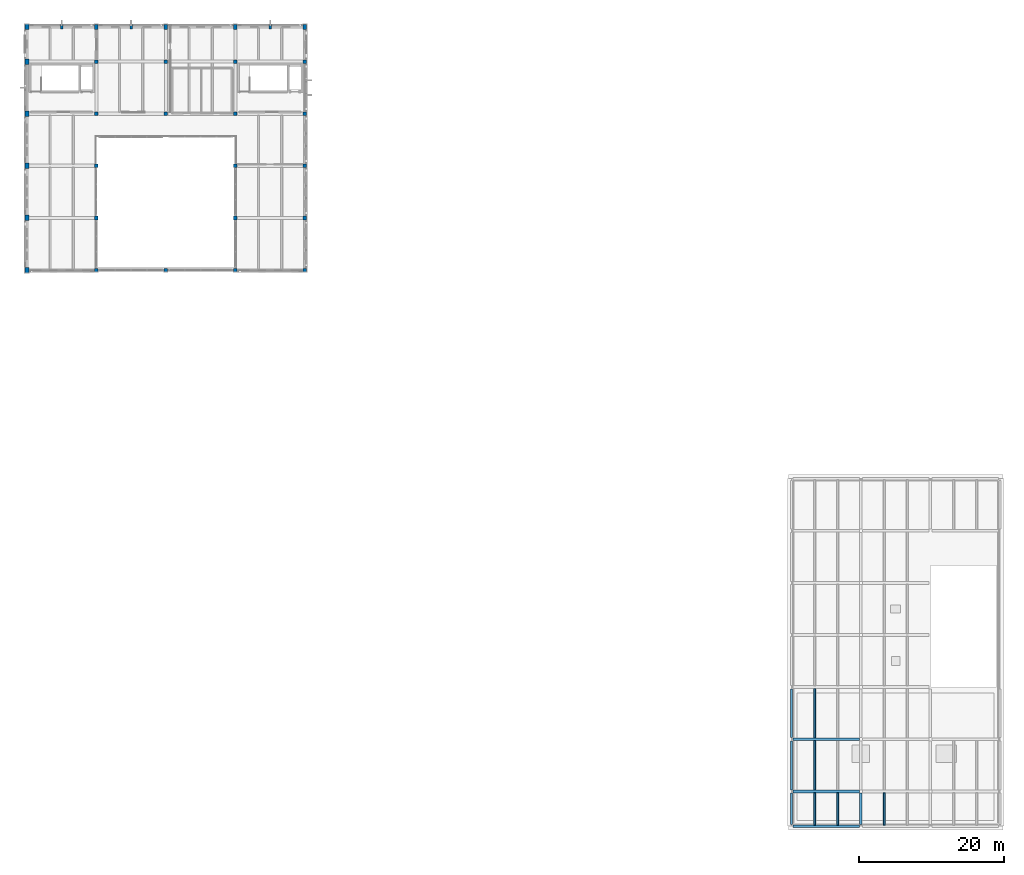
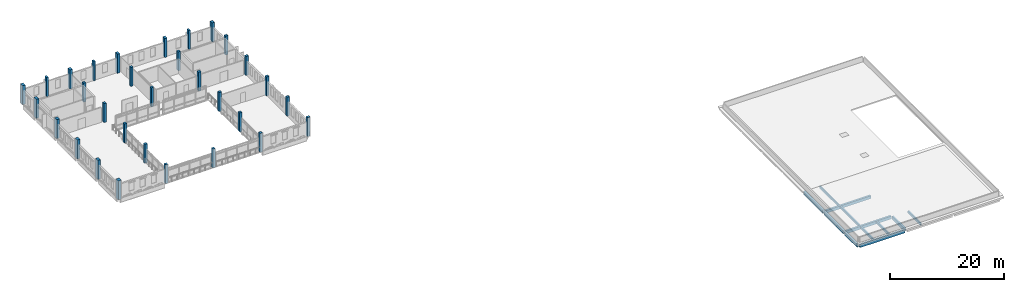
# One storey, part 1 of 24: 31 columns, 12 beams.
"""IFC4 building model written with IfcOpenShell, lengths in metres."""

from ifc_helpers import new_model, si_unit, direction, frame, origin, origin_2d, place, context, subcontext, project, spatial, rectangle, extrude, material, material_profile, profile_set, type_object, element, save


model = new_model("IFC4")

# Units and contexts
model_context = context("Model", 3, precision=1e-05, world=origin(), true_north=direction((0.0, 1.0)))
body_context = subcontext(model_context, "Body", "Model", "MODEL_VIEW")
ifc_project = project(units=[si_unit("LENGTHUNIT", "METRE"), si_unit("AREAUNIT", "SQUARE_METRE"), si_unit("VOLUMEUNIT", "CUBIC_METRE"), si_unit("PLANEANGLEUNIT", "RADIAN"), si_unit("MASSUNIT", "GRAM", prefix="KILO")], contexts=[model_context])

# Site, building, storey
site_placement = place(None, origin())
site = spatial("IfcSite", under=ifc_project, at=site_placement, CompositionType="ELEMENT")
building_placement = place(site_placement, origin())
building = spatial("IfcBuilding", under=site, at=building_placement, Name="Asteropetra Specialist Clinic", CompositionType="ELEMENT")
storey_placement = place(building_placement, frame((0.0, 0.0, 20.739990234375)))
storey = spatial("IfcBuildingStorey", under=building, at=storey_placement, Name="L05", CompositionType="ELEMENT", Elevation=20.739990234375)

# Columns
ifc_material_1 = material(Name="Concrete C35/45", Category="concrete")
ifc_material_profile_1 = material_profile(ifc_material_1, rectangle(XDim=0.5, YDim=0.5, at=origin_2d()), Name="RC 500x500")
ifc_profile_set_1 = profile_set([ifc_material_profile_1], Name="Concrete C35/45")
column_type_1 = type_object("IfcColumnType", Name="COL-RC500", PredefinedType="COLUMN", material=ifc_profile_set_1)
for number, where, z_axis, x_axis, name in (
    (1, (9.60009765625, 76.800048828125, 0.0), (0.0, 0.0, 1.0), (1.0, 0.0, 0.0), "Column CCOL07-0130"),
    (2, (9.60009765625, 84.0, 0.0), (0.0, 0.0, 1.0), (1.0, 0.0, 0.0), "Column CCOL07-0136"),
    (3, (9.60009765625, 91.199951171875, 0.0), (0.0, 0.0, 1.0), (1.0, 0.0, 0.0), "Column CCOL07-0142"),
    (4, (9.60009765625, 98.39990234375, 0.0), (0.0, 0.0, 1.0), (1.0, 0.0, 0.0), "Column CCOL07-0148"),
    (5, (9.60009765625, 105.60009765625, 0.0), (0.0, 0.0, 1.0), (1.0, 0.0, 0.0), "Column CCOL07-0154"),
    (6, (19.199951171875, 76.800048828125, 0.0), (0.0, 0.0, 1.0), (1.0, 0.0, 0.0), "Column CCOL07-0242"),
    (7, (19.199951171875, 98.39990234375, 0.0), (0.0, 0.0, 1.0), (1.0, 0.0, 0.0), "Column CCOL07-0248"),
    (8, (19.199951171875, 105.60009765625, 0.0), (0.0, 0.0, 1.0), (1.0, 0.0, 0.0), "Column CCOL07-0254"),
    (9, (28.800048828125, 76.800048828125, 0.0), (0.0, 0.0, 1.0), (1.0, 0.0, 0.0), "Column CCOL07-0326"),
    (10, (28.800048828125, 84.0, 0.0), (0.0, 0.0, 1.0), (1.0, 0.0, 0.0), "Column CCOL07-0332"),
    (11, (28.800048828125, 91.199951171875, 0.0), (0.0, 0.0, 1.0), (1.0, 0.0, 0.0), "Column CCOL07-0338"),
    (12, (28.800048828125, 98.39990234375, 0.0), (0.0, 0.0, 1.0), (1.0, 0.0, 0.0), "Column CCOL07-0344"),
    (13, (28.800048828125, 105.60009765625, 0.0), (0.0, 0.0, 1.0), (1.0, 0.0, 0.0), "Column CCOL07-0350"),
    (14, (38.39990234375, 76.800048828125, 0.0), (0.0, 0.0, 1.0), (1.0, 0.0, 0.0), "Column CCOL07-0406"),
    (15, (38.39990234375, 84.0, 0.0), (0.0, 0.0, 1.0), (1.0, 0.0, 0.0), "Column CCOL07-0412"),
    (16, (38.39990234375, 91.199951171875, 0.0), (0.0, 0.0, 1.0), (1.0, 0.0, 0.0), "Column CCOL07-0418"),
    (17, (38.39990234375, 98.39990234375, 0.0), (0.0, 0.0, 1.0), (1.0, 0.0, 0.0), "Column CCOL07-0424"),
    (18, (38.39990234375, 105.60009765625, 0.0), (0.0, 0.0, 1.0), (1.0, 0.0, 0.0), "Column CCOL07-0430"),
):
    element("IfcColumn", number, at=place(storey_placement, frame(where, z_axis=z_axis, x_axis=x_axis)), inside=storey, type_object=column_type_1, Name=name, PredefinedType="COLUMN", context=body_context, shape_type="SweptSolid", body=[
        extrude(rectangle(XDim=0.5, YDim=0.5, at=origin_2d()), origin(), (0.0, 0.0, 1.0), 4.080078125),
    ])
ifc_material_2 = material(Name="Concrete C35/45", Category="concrete")
ifc_material_profile_2 = material_profile(ifc_material_2, rectangle(XDim=0.5, YDim=0.699951171875, at=origin_2d()), Name="RC 500x700")
ifc_profile_set_2 = profile_set([ifc_material_profile_2], Name="Concrete C35/45")
column_type_2 = type_object("IfcColumnType", Name="COL-RC500x700", PredefinedType="COLUMN", material=ifc_profile_set_2)
for number, where, z_axis, x_axis, name in (
    (19, (9.60009765625, 110.39990234375, 0.0), (0.0, 0.0, 1.0), (1.0, 0.0, 0.0), "Column CCOL11-0160"),
    (20, (19.199951171875, 110.39990234375, 0.0), (0.0, 0.0, 1.0), (1.0, 0.0, 0.0), "Column CCOL11-0260"),
    (21, (28.800048828125, 110.39990234375, 0.0), (0.0, 0.0, 1.0), (1.0, 0.0, 0.0), "Column CCOL11-0356"),
    (22, (38.39990234375, 110.39990234375, 0.0), (0.0, 0.0, 1.0), (1.0, 0.0, 0.0), "Column CCOL11-0436"),
):
    element("IfcColumn", number, at=place(storey_placement, frame(where, z_axis=z_axis, x_axis=x_axis)), inside=storey, type_object=column_type_2, Name=name, PredefinedType="COLUMN", context=body_context, shape_type="SweptSolid", body=[
        extrude(rectangle(XDim=0.5, YDim=0.699951171875, at=origin_2d()), origin(), (0.0, 0.0, 1.0), 4.080078125),
    ])
ifc_material_3 = material(Name="Concrete C35/45", Category="concrete")
ifc_material_profile_3 = material_profile(ifc_material_3, rectangle(XDim=0.550048828125, YDim=0.75, at=origin_2d()), Name="RC 550x750")
ifc_profile_set_3 = profile_set([ifc_material_profile_3], Name="Concrete C35/45")
column_type_3 = type_object("IfcColumnType", Name="COL-RC550x750", PredefinedType="COLUMN", material=ifc_profile_set_3)
for number, where, z_axis, x_axis, name in (
    (23, (0.0, 76.800048828125, 0.0), (0.0, 0.0, 1.0), (1.0, 0.0, 0.0), "Column CCOL10-0050"),
    (24, (0.0, 84.0, 0.0), (0.0, 0.0, 1.0), (1.0, 0.0, 0.0), "Column CCOL10-0056"),
    (25, (0.0, 91.199951171875, 0.0), (0.0, 0.0, 1.0), (1.0, 0.0, 0.0), "Column CCOL10-0062"),
    (26, (0.0, 98.39990234375, 0.0), (0.0, 0.0, 1.0), (1.0, 0.0, 0.0), "Column CCOL10-0068"),
    (27, (0.0, 105.60009765625, 0.0), (0.0, 0.0, 1.0), (1.0, 0.0, 0.0), "Column CCOL10-0074"),
    (28, (0.0, 110.39990234375, 0.0), (0.0, 0.0, 1.0), (1.0, 0.0, 0.0), "Column CCOL10-0080"),
):
    element("IfcColumn", number, at=place(storey_placement, frame(where, z_axis=z_axis, x_axis=x_axis)), inside=storey, type_object=column_type_3, Name=name, PredefinedType="COLUMN", context=body_context, shape_type="SweptSolid", body=[
        extrude(rectangle(XDim=0.550048828125, YDim=0.75, at=origin_2d()), origin(), (0.0, 0.0, 1.0), 4.080078125),
    ])
ifc_material_4 = material(Name="Concrete C35/45", Category="concrete")
ifc_material_profile_4 = material_profile(ifc_material_4, rectangle(XDim=0.35009765625, YDim=0.60009765625, at=origin_2d()), Name="PIL 350x600")
ifc_profile_set_4 = profile_set([ifc_material_profile_4], Name="Concrete C35/45")
column_type_4 = type_object("IfcColumnType", Name="PIL-RC350x600", PredefinedType="PILASTER", material=ifc_profile_set_4)
for number, where, z_axis, x_axis, name in (
    (29, (4.800048828125, 110.39990234375, 0.0), (0.0, 0.0, 1.0), (1.0, 0.0, 0.0), "Neoclassical Pilaster PL-L05-01"),
    (30, (14.39990234375, 110.39990234375, 0.0), (0.0, 0.0, 1.0), (1.0, 0.0, 0.0), "Neoclassical Pilaster PL-L05-02"),
    (31, (33.60009765625, 110.39990234375, 0.0), (0.0, 0.0, 1.0), (1.0, 0.0, 0.0), "Neoclassical Pilaster PL-L05-03"),
):
    element("IfcColumn", number, at=place(storey_placement, frame(where, z_axis=z_axis, x_axis=x_axis)), inside=storey, type_object=column_type_4, Name=name, PredefinedType="PILASTER", context=body_context, shape_type="SweptSolid", body=[
        extrude(rectangle(XDim=0.35009765625, YDim=0.60009765625, at=origin_2d()), origin(), (0.0, 0.0, 1.0), 4.080078125),
    ])

# Beams
ifc_material_5 = material(Name="Concrete C35/45", Category="concrete")
ifc_material_profile_5 = material_profile(ifc_material_5, rectangle(XDim=0.35009765625, YDim=0.60009765625, at=origin_2d()), Name="RCB 350x600")
ifc_profile_set_5 = profile_set([ifc_material_profile_5], Name="Concrete C35/45")
beam_type_1 = type_object("IfcBeamType", Name="BM-RC350x600", PredefinedType="BEAM", material=ifc_profile_set_5)
beam_1_placement = place(storey_placement, frame((115.199951171875, 0.22509765625, -0.570068359375), z_axis=(0.0, 1.0, 0.0), x_axis=(-1.0, 0.0, 0.0)))
element("IfcBeam", 32, at=beam_1_placement, inside=storey, type_object=beam_type_1, Name="Beam BBM09-2063", PredefinedType="BEAM", context=body_context, shape_type="SweptSolid", body=[
    extrude(rectangle(XDim=0.35009765625, YDim=0.60009765625, at=origin_2d()), origin(), (0.0, 0.0, 1.0), 4.349853515625),
])
ifc_material_6 = material(Name="Concrete C35/45", Category="concrete")
ifc_material_profile_6 = material_profile(ifc_material_6, rectangle(XDim=0.39990234375, YDim=0.60009765625, at=origin_2d()), Name="RCB 400x600")
ifc_profile_set_6 = profile_set([ifc_material_profile_6], Name="Concrete C35/45")
beam_type_2 = type_object("IfcBeamType", Name="BM-RC400x600", PredefinedType="BEAM", material=ifc_profile_set_6)
for number, where, z_axis, x_axis, name in (
    (33, (105.824951171875, 4.800048828125, -0.570068359375), (1.0, 0.0, 0.0), (0.0, 1.0, 0.0), "Beam BBM08-2044"),
    (34, (105.824951171875, 12.0, -0.570068359375), (1.0, 0.0, 0.0), (0.0, 1.0, 0.0), "Beam BBM08-2047"),
):
    element("IfcBeam", number, at=place(storey_placement, frame(where, z_axis=z_axis, x_axis=x_axis)), inside=storey, type_object=beam_type_2, Name=name, PredefinedType="BEAM", context=body_context, shape_type="SweptSolid", body=[
        extrude(rectangle(XDim=0.39990234375, YDim=0.60009765625, at=origin_2d()), origin(), (0.0, 0.0, 1.0), 9.150146484375),
    ])
ifc_material_7 = material(Name="Concrete C35/45", Category="concrete")
ifc_material_profile_7 = material_profile(ifc_material_7, rectangle(XDim=0.260009765625, YDim=0.47998046875, at=origin_2d()), Name="RCJ 260x480")
ifc_profile_set_7 = profile_set([ifc_material_profile_7], Name="Concrete C35/45")
beam_type_3 = type_object("IfcBeamType", Name="JST-RC260x480", PredefinedType="JOIST", material=ifc_profile_set_7)
for number, where, z_axis, x_axis, name in (
    (35, (108.800048828125, 0.159912109375, -0.510009765625), (0.0, 1.0, 0.0), (-1.0, 0.0, 0.0), "Joist JJST02-2066"),
    (36, (112.0, 0.159912109375, -0.510009765625), (0.0, 1.0, 0.0), (-1.0, 0.0, 0.0), "Joist JJST02-2067"),
    (37, (118.39990234375, 0.159912109375, -0.510009765625), (0.0, 1.0, 0.0), (-1.0, 0.0, 0.0), "Joist JJST02-2068"),
):
    element("IfcBeam", number, at=place(storey_placement, frame(where, z_axis=z_axis, x_axis=x_axis)), inside=storey, type_object=beam_type_3, Name=name, PredefinedType="JOIST", context=body_context, shape_type="SweptSolid", body=[
        extrude(rectangle(XDim=0.260009765625, YDim=0.47998046875, at=origin_2d()), origin(), (0.0, 0.0, 1.0), 4.440185546875),
    ])
for number, where, z_axis, x_axis, name in (
    (38, (108.800048828125, 5.0, -0.510009765625), (0.0, 1.0, 0.0), (-1.0, 0.0, 0.0), "Joist JJST02-2076"),
    (39, (108.800048828125, 12.199951171875, -0.510009765625), (0.0, 1.0, 0.0), (-1.0, 0.0, 0.0), "Joist JJST02-2086"),
):
    element("IfcBeam", number, at=place(storey_placement, frame(where, z_axis=z_axis, x_axis=x_axis)), inside=storey, type_object=beam_type_3, Name=name, PredefinedType="JOIST", context=body_context, shape_type="SweptSolid", body=[
        extrude(rectangle(XDim=0.260009765625, YDim=0.47998046875, at=origin_2d()), origin(), (0.0, 0.0, 1.0), 6.800048828125),
    ])
ifc_material_8 = material(Name="Concrete C35/45", Category="concrete")
ifc_material_profile_8 = material_profile(ifc_material_8, rectangle(XDim=0.320068359375, YDim=0.699951171875, at=origin_2d()), Name="RCS 320x700")
ifc_profile_set_8 = profile_set([ifc_material_profile_8], Name="Concrete C35/45")
beam_type_4 = type_object("IfcBeamType", Name="SPN-RC320x700", PredefinedType="SPANDREL", material=ifc_profile_set_8)
beam_2_placement = place(storey_placement, frame((105.824951171875, 0.0, -0.619873046875), z_axis=(1.0, 0.0, 0.0), x_axis=(0.0, 1.0, 0.0)))
element("IfcBeam", 40, at=beam_2_placement, inside=storey, type_object=beam_type_4, Name="Beam BSPN02-2041", PredefinedType="SPANDREL", context=body_context, shape_type="SweptSolid", body=[
    extrude(rectangle(XDim=0.320068359375, YDim=0.699951171875, at=origin_2d()), origin(), (0.0, 0.0, 1.0), 9.150146484375),
])
beam_3_placement = place(storey_placement, frame((105.60009765625, 0.22509765625, -0.619873046875), z_axis=(0.0, 1.0, 0.0), x_axis=(-1.0, 0.0, 0.0)))
element("IfcBeam", 41, at=beam_3_placement, inside=storey, type_object=beam_type_4, Name="Beam BSPN02-2062", PredefinedType="SPANDREL", context=body_context, shape_type="SweptSolid", body=[
    extrude(rectangle(XDim=0.320068359375, YDim=0.699951171875, at=origin_2d()), origin(), (0.0, 0.0, 1.0), 4.349853515625),
])
for number, where, z_axis, x_axis, name in (
    (42, (105.60009765625, 5.02490234375, -0.619873046875), (0.0, 1.0, 0.0), (-1.0, 0.0, 0.0), "Beam BSPN02-2072"),
    (43, (105.60009765625, 12.22509765625, -0.619873046875), (0.0, 1.0, 0.0), (-1.0, 0.0, 0.0), "Beam BSPN02-2082"),
):
    element("IfcBeam", number, at=place(storey_placement, frame(where, z_axis=z_axis, x_axis=x_axis)), inside=storey, type_object=beam_type_4, Name=name, PredefinedType="SPANDREL", context=body_context, shape_type="SweptSolid", body=[
        extrude(rectangle(XDim=0.320068359375, YDim=0.699951171875, at=origin_2d()), origin(), (0.0, 0.0, 1.0), 6.75),
    ])

save(model, "model.ifc")
